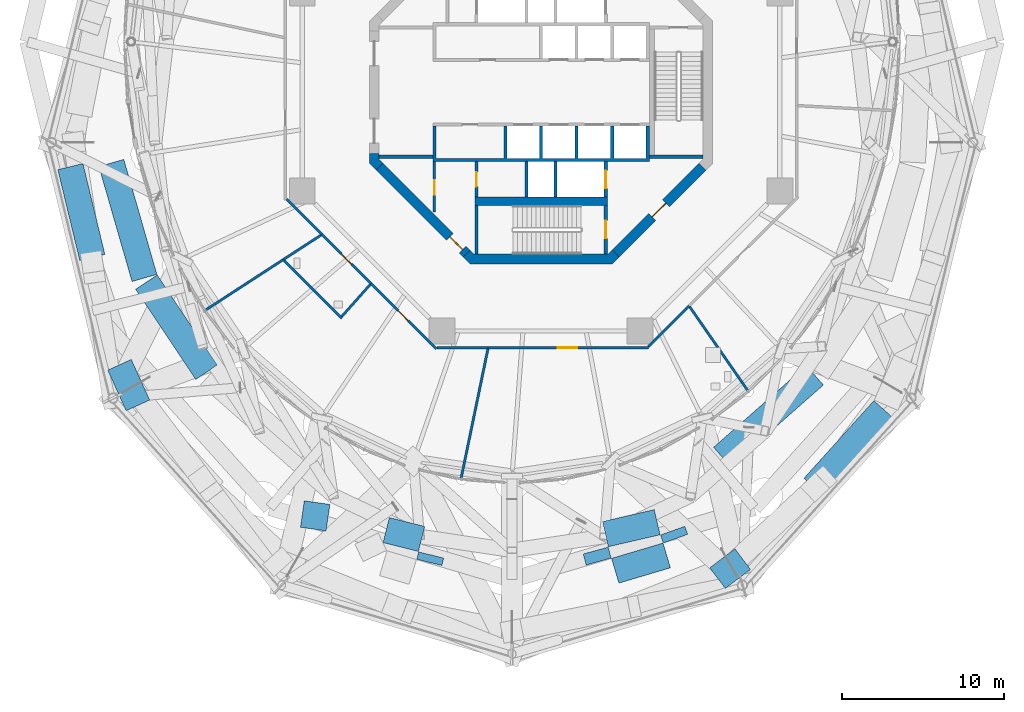
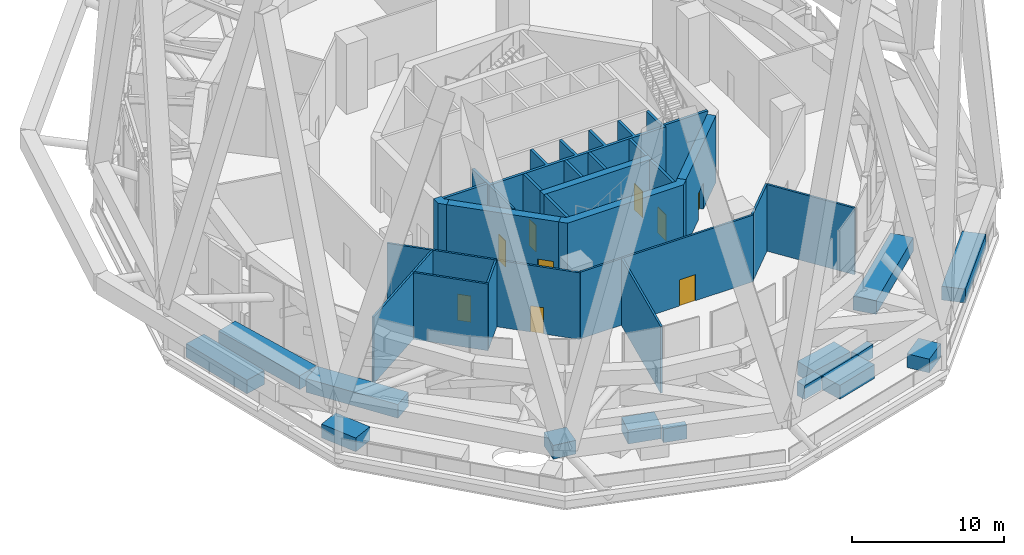
# One storey, part 38 of 48: 41 walls, 9 doors, 9 openings.
"""IFC4 building model written with IfcOpenShell, lengths in metres."""

from ifc_helpers import new_model, si_unit, direction, frame, frame_2d, origin, place, context, subcontext, project, spatial, polyline, rectangle, outline, extrude, material, layer, layer_set, type_object, element, fill, save


model = new_model("IFC4")

# Units and contexts
model_context = context("Model", 3, precision=1e-05, world=origin(), true_north=direction((0.0, 1.0)))
body_context = subcontext(model_context, "Body", "Model", "MODEL_VIEW")
ifc_project = project(units=[si_unit("LENGTHUNIT", "METRE"), si_unit("AREAUNIT", "SQUARE_METRE"), si_unit("VOLUMEUNIT", "CUBIC_METRE"), si_unit("PLANEANGLEUNIT", "RADIAN"), si_unit("MASSUNIT", "GRAM", prefix="KILO")], contexts=[model_context])

# Site, building, storey
site_placement = place(None, origin())
site = spatial("IfcSite", under=ifc_project, at=site_placement, CompositionType="ELEMENT")
building_placement = place(site_placement, origin())
building = spatial("IfcBuilding", under=site, at=building_placement, Name="Nagisa Residences", CompositionType="ELEMENT")
storey_placement = place(building_placement, frame((0.0, 0.0, 252.89990234375)))
storey = spatial("IfcBuildingStorey", under=building, at=storey_placement, Name="L64", CompositionType="ELEMENT", Elevation=252.89990234375)

# Wall, opening, door
ifc_material_1 = material(Name="Gypsum board on steel studs", Category="steel")
ifc_layer_1 = layer(ifc_material_1, 0.14990234375)
ifc_layer_set_1 = layer_set([ifc_layer_1], Name="Core partition 150")
wall_type_1 = type_object("IfcWallType", Name="Core partition 150", PredefinedType="PARTITIONING", material=ifc_layer_set_1)
wall_1_placement = place(storey_placement, frame((-6.60009765625, -7.427001953125, 0.0), z_axis=(0.0, 0.0, 1.0), x_axis=(0.0, 1.0, 0.0)))
wall_1 = element("IfcWall", 1, at=wall_1_placement, inside=storey, type_object=wall_type_1, Name="wall:L64:SWp", PredefinedType="PARTITIONING", context=body_context, shape_type="SweptSolid", body=[
    extrude(rectangle(XDim=3.126953125, YDim=0.14990234375, at=frame_2d((1.5634765625, 0.0))), origin(), (0.0, 0.0, 1.0), 5.340087890625),
])
opening_1_placement = place(wall_1_placement, frame((1.075927734375, 0.0, 0.0)))
opening_1 = element("IfcOpeningElement", 2, at=opening_1_placement, cuts=wall_1, Name="Opening L64-C15", PredefinedType="OPENING", context=body_context, shape_type="SweptSolid", body=[
    extrude(rectangle(XDim=0.89990234375, YDim=2.10009765625, at=frame_2d((0.449951171875, 1.050048828125))), frame((0.0, 0.0849609375, 0.0), z_axis=(0.0, -1.0, 0.0), x_axis=(1.0, 0.0, 0.0)), (0.0, 0.0, 1.0), 0.169921875),
])
ifc_material_2 = material(Name="Steel fire door", Category="steel")
door_type_1 = type_object("IfcDoorType", Name="Fire door EI30 900x2100 single swing", OperationType="NOTDEFINED", PredefinedType="DOOR", material=ifc_material_2)
door_1_placement = place(opening_1_placement, origin())
door_1 = element("IfcDoor", 3, at=door_1_placement, inside=storey, type_object=door_type_1, Name="Cleaner store door L64", OperationType="SINGLE_SWING_RIGHT", OverallHeight=2.10009765625, OverallWidth=0.89990234375, PredefinedType="DOOR", context=body_context, shape_type="SweptSolid", body=[
    extrude(rectangle(XDim=0.89990234375, YDim=2.10009765625, at=frame_2d((0.449951171875, 1.050048828125))), frame((0.0, 0.02490234375, 0.0), z_axis=(0.0, -1.0, 0.0), x_axis=(1.0, 0.0, 0.0)), (0.0, 0.0, 1.0), 0.050048828125),
])
fill(opening_1, door_1)

# Wall
ifc_material_3 = material(Name="Gypsum board on steel studs", Category="steel")
ifc_layer_2 = layer(ifc_material_3, 0.199951171875)
ifc_layer_set_2 = layer_set([ifc_layer_2], Name="Core partition 200")
wall_type_2 = type_object("IfcWallType", Name="Core partition 200", PredefinedType="PARTITIONING", material=ifc_layer_set_2)
wall_2_placement = place(storey_placement, frame((-10.024658203125, -4.0, 0.0), z_axis=(0.0, 0.0, 1.0), x_axis=(1.0, 0.0, 0.0)))
element("IfcWall", 4, at=wall_2_placement, inside=storey, type_object=wall_type_2, Name="wall:L64:PSW", PredefinedType="PARTITIONING", context=body_context, shape_type="SweptSolid", body=[
    extrude(rectangle(XDim=3.32470703125, YDim=0.199951171875, at=frame_2d((1.662353515625, 0.0))), origin(), (0.0, 0.0, 1.0), 5.340087890625),
])

# Wall, opening, door
ifc_material_4 = material(Name="Concrete C60", Category="concrete")
ifc_layer_3 = layer(ifc_material_4, 0.60009765625)
ifc_layer_set_3 = layer_set([ifc_layer_3], Name="Core shear wall 600")
wall_type_3 = type_object("IfcWallType", Name="Core shear wall 600", PredefinedType="SHEAR", material=ifc_layer_set_3)
wall_3_placement = place(storey_placement, frame((-9.98828125, -4.613037109375, 0.0), z_axis=(0.0, 0.0, 1.0), x_axis=(0.707106781187, -0.707106781187, 0.0)))
wall_3 = element("IfcWall", 5, at=wall_3_placement, inside=storey, type_object=wall_type_3, Name="wall:L64:core:flat5", PredefinedType="SHEAR", context=body_context, shape_type="SweptSolid", body=[
    extrude(rectangle(XDim=7.601806640625, YDim=0.60009765625, at=frame_2d((3.80078125, 0.0))), origin(), (0.0, 0.0, 1.0), 5.340087890625),
])
opening_2_placement = place(wall_3_placement, frame((6.15087890625, 0.0, 0.0)))
opening_2 = element("IfcOpeningElement", 6, at=opening_2_placement, cuts=wall_3, Name="Opening L64-C24", PredefinedType="OPENING", context=body_context, shape_type="SweptSolid", body=[
    extrude(rectangle(XDim=1.10009765625, YDim=2.10009765625, at=frame_2d((0.550048828125, 1.050048828125))), frame((0.0, 0.31005859375, 0.0), z_axis=(0.0, -1.0, 0.0), x_axis=(1.0, 0.0, 0.0)), (0.0, 0.0, 1.0), 0.6201171875),
])
ifc_material_5 = material(Name="Steel fire door", Category="steel")
door_type_2 = type_object("IfcDoorType", Name="Fire door EI60 1100x2100 single swing", OperationType="NOTDEFINED", PredefinedType="DOOR", material=ifc_material_5)
door_2_placement = place(opening_2_placement, origin())
door_2 = element("IfcDoor", 7, at=door_2_placement, inside=storey, type_object=door_type_2, Name="Housekeeping lobby door L64", OperationType="SINGLE_SWING_LEFT", OverallHeight=2.10009765625, OverallWidth=1.10009765625, PredefinedType="DOOR", context=body_context, shape_type="SweptSolid", body=[
    extrude(rectangle(XDim=1.10009765625, YDim=2.10009765625, at=frame_2d((0.550048828125, 1.050048828125))), frame((0.0, 0.02490234375, 0.0), z_axis=(0.0, -1.0, 0.0), x_axis=(1.0, 0.0, 0.0)), (0.0, 0.0, 1.0), 0.050048828125),
])
fill(opening_2, door_2)

wall_4_placement = place(storey_placement, frame((4.613037109375, -9.98828125, 0.0), z_axis=(0.0, 0.0, 1.0), x_axis=(0.707106781187, 0.707106781187, 0.0)))
wall_4 = element("IfcWall", 8, at=wall_4_placement, inside=storey, type_object=wall_type_3, Name="wall:L64:core:flat7", PredefinedType="SHEAR", context=body_context, shape_type="SweptSolid", body=[
    extrude(rectangle(XDim=7.601806640625, YDim=0.60009765625, at=frame_2d((3.80078125, 0.0))), origin(), (0.0, 0.0, 1.0), 5.340087890625),
])
opening_3_placement = place(wall_4_placement, frame((3.200927734375, 0.0, 0.0)))
opening_3 = element("IfcOpeningElement", 9, at=opening_3_placement, cuts=wall_4, Name="Opening L64-C20", PredefinedType="OPENING", context=body_context, shape_type="SweptSolid", body=[
    extrude(rectangle(XDim=1.199951171875, YDim=2.10009765625, at=frame_2d((0.60009765625, 1.050048828125))), frame((0.0, 0.31005859375, 0.0), z_axis=(0.0, -1.0, 0.0), x_axis=(1.0, 0.0, 0.0)), (0.0, 0.0, 1.0), 0.6201171875),
])
ifc_material_6 = material(Name="Steel fire door", Category="steel")
door_type_3 = type_object("IfcDoorType", Name="Fire door EI60 1200x2100 single swing", OperationType="NOTDEFINED", PredefinedType="DOOR", material=ifc_material_6)
door_3_placement = place(opening_3_placement, origin())
door_3 = element("IfcDoor", 10, at=door_3_placement, inside=storey, type_object=door_type_3, Name="Firefighting lobby 2 door L64", OperationType="SINGLE_SWING_LEFT", OverallHeight=2.10009765625, OverallWidth=1.199951171875, PredefinedType="DOOR", context=body_context, shape_type="SweptSolid", body=[
    extrude(rectangle(XDim=1.199951171875, YDim=2.10009765625, at=frame_2d((0.60009765625, 1.050048828125))), frame((0.0, 0.02490234375, 0.0), z_axis=(0.0, -1.0, 0.0), x_axis=(1.0, 0.0, 0.0)), (0.0, 0.0, 1.0), 0.050048828125),
])
fill(opening_3, door_3)

# Walls
wall_5_placement = place(storey_placement, origin())
element("IfcWall", 11, at=wall_5_placement, inside=storey, type_object=wall_type_3, Name="wall:L64:core:pier4", PredefinedType="SHEAR", context=body_context, shape_type="SweptSolid", body=[
    extrude(outline(polyline([(-10.62451171875, -3.80078125), (-10.024658203125, -3.80078125), (-10.024658203125, -4.15234375), (-9.776123046875, -4.40087890625), (-10.200439453125, -4.8251953125), (-10.62451171875, -4.40087890625), (-10.62451171875, -3.80078125)])), origin(), (0.0, 0.0, 1.0), 5.340087890625),
])
wall_6_placement = place(storey_placement, origin())
element("IfcWall", 12, at=wall_6_placement, inside=storey, type_object=wall_type_3, Name="wall:L64:core:flat6", PredefinedType="SHEAR", context=body_context, shape_type="SweptSolid", body=[
    extrude(outline(polyline([(-4.15234375, -10.024658203125), (4.15234375, -10.024658203125), (4.40087890625, -9.776123046875), (4.8251953125, -10.200439453125), (4.40087890625, -10.62451171875), (-4.40087890625, -10.62451171875), (-4.8251953125, -10.200439453125), (-4.40087890625, -9.776123046875), (-4.15234375, -10.024658203125)])), origin(), (0.0, 0.0, 1.0), 5.340087890625),
])

# Wall, opening, door
ifc_material_7 = material(Name="Concrete C60", Category="concrete")
ifc_layer_4 = layer(ifc_material_7, 0.199951171875)
ifc_layer_set_4 = layer_set([ifc_layer_4], Name="Lift shaft wall 200")
wall_type_4 = type_object("IfcWallType", Name="Lift shaft wall 200", PredefinedType="SOLIDWALL", material=ifc_layer_set_4)
wall_7_placement = place(storey_placement, frame((4.0, -6.5, 0.0), z_axis=(0.0, 0.0, 1.0), x_axis=(0.0, 1.0, 0.0)))
wall_7 = element("IfcWall", 13, at=wall_7_placement, inside=storey, type_object=wall_type_4, Name="wall:L64:Sb3", PredefinedType="SOLIDWALL", context=body_context, shape_type="SweptSolid", body=[
    extrude(rectangle(XDim=2.199951171875, YDim=0.199951171875, at=frame_2d((1.10009765625, 0.0))), origin(), (0.0, 0.0, 1.0), 5.340087890625),
])
opening_4_placement = place(wall_7_placement, frame((0.550048828125, 0.0, 0.0)))
opening_4 = element("IfcOpeningElement", 14, at=opening_4_placement, cuts=wall_7, Name="Opening L64-C09", PredefinedType="OPENING", context=body_context, shape_type="SweptSolid", body=[
    extrude(rectangle(XDim=1.10009765625, YDim=2.10009765625, at=frame_2d((0.550048828125, 1.050048828125))), frame((0.0, 0.10986328125, 0.0), z_axis=(0.0, -1.0, 0.0), x_axis=(1.0, 0.0, 0.0)), (0.0, 0.0, 1.0), 0.219970703125),
])
ifc_material_8 = material(Name="Stainless steel", Category="steel")
door_type_4 = type_object("IfcDoorType", Name="Lift landing door 1100x2100", OperationType="DOUBLE_DOOR_SLIDING", PredefinedType="DOOR", material=ifc_material_8)
door_4_placement = place(opening_4_placement, origin())
door_4 = element("IfcDoor", 15, at=door_4_placement, inside=storey, type_object=door_type_4, Name="Landing door FL2 L64", OperationType="DOUBLE_DOOR_SLIDING", OverallHeight=2.10009765625, OverallWidth=1.10009765625, PredefinedType="DOOR", context=body_context, shape_type="SweptSolid", body=[
    extrude(rectangle(XDim=1.10009765625, YDim=2.10009765625, at=frame_2d((0.550048828125, 1.050048828125))), frame((0.0, 0.02490234375, 0.0), z_axis=(0.0, -1.0, 0.0), x_axis=(1.0, 0.0, 0.0)), (0.0, 0.0, 1.0), 0.050048828125),
])
fill(opening_4, door_4)

wall_8_placement = place(storey_placement, frame((-4.0, -6.5, 0.0), z_axis=(0.0, 0.0, 1.0), x_axis=(0.0, 1.0, 0.0)))
wall_8 = element("IfcWall", 16, at=wall_8_placement, inside=storey, type_object=wall_type_4, Name="wall:L64:Sb4", PredefinedType="SOLIDWALL", context=body_context, shape_type="SweptSolid", body=[
    extrude(rectangle(XDim=2.199951171875, YDim=0.199951171875, at=frame_2d((1.10009765625, 0.0))), origin(), (0.0, 0.0, 1.0), 5.340087890625),
])
opening_5_placement = place(wall_8_placement, frame((0.64990234375, 0.0, 0.0)))
opening_5 = element("IfcOpeningElement", 17, at=opening_5_placement, cuts=wall_8, Name="Opening L64-C16", PredefinedType="OPENING", context=body_context, shape_type="SweptSolid", body=[
    extrude(rectangle(XDim=0.89990234375, YDim=2.10009765625, at=frame_2d((0.449951171875, 1.050048828125))), frame((0.0, 0.10986328125, 0.0), z_axis=(0.0, -1.0, 0.0), x_axis=(1.0, 0.0, 0.0)), (0.0, 0.0, 1.0), 0.219970703125),
])
door_5_placement = place(opening_5_placement, frame((0.89990234375, 0.0, 0.0), x_axis=(-1.0, 0.0, 0.0)))
door_5 = element("IfcDoor", 18, at=door_5_placement, inside=storey, type_object=door_type_1, Name="Refuse room door L64", OperationType="SINGLE_SWING_LEFT", OverallHeight=2.10009765625, OverallWidth=0.89990234375, PredefinedType="DOOR", context=body_context, shape_type="SweptSolid", body=[
    extrude(rectangle(XDim=0.89990234375, YDim=2.10009765625, at=frame_2d((0.449951171875, 1.050048828125))), frame((0.0, 0.02490234375, 0.0), z_axis=(0.0, -1.0, 0.0), x_axis=(1.0, 0.0, 0.0)), (0.0, 0.0, 1.0), 0.050048828125),
])
fill(opening_5, door_5)

# Walls
for number, where, z_axis, x_axis, name in (
    (19, (-0.89990234375, -6.5, 0.0), (0.0, 0.0, 1.0), (0.0, 1.0, 0.0), "wall:L64:Sb1"),
    (20, (0.89990234375, -6.5, 0.0), (0.0, 0.0, 1.0), (0.0, 1.0, 0.0), "wall:L64:Sb2"),
):
    element("IfcWall", number, at=place(storey_placement, frame(where, z_axis=z_axis, x_axis=x_axis)), inside=storey, type_object=wall_type_4, Name=name, PredefinedType="SOLIDWALL", context=body_context, shape_type="SweptSolid", body=[
        extrude(rectangle(XDim=2.199951171875, YDim=0.199951171875, at=frame_2d((1.10009765625, 0.0))), origin(), (0.0, 0.0, 1.0), 5.340087890625),
    ])
wall_9_placement = place(storey_placement, origin())
element("IfcWall", 21, at=wall_9_placement, inside=storey, type_object=wall_type_4, Name="wall:L64:Sback", PredefinedType="SOLIDWALL", context=body_context, shape_type="SweptSolid", body=[
    extrude(outline(polyline([(-6.699951171875, -2.10009765625), (-6.5, -2.10009765625), (-6.5, -4.10009765625), (-2.300048828125, -4.10009765625), (-2.300048828125, -2.10009765625), (-2.10009765625, -2.10009765625), (-2.10009765625, -4.10009765625), (-0.10009765625, -4.10009765625), (-0.10009765625, -2.10009765625), (0.10009765625, -2.10009765625), (0.10009765625, -4.10009765625), (2.10009765625, -4.10009765625), (2.10009765625, -2.10009765625), (2.300048828125, -2.10009765625), (2.300048828125, -4.10009765625), (4.300048828125, -4.10009765625), (4.300048828125, -2.10009765625), (4.5, -2.10009765625), (4.5, -4.10009765625), (6.5, -4.10009765625), (6.5, -2.10009765625), (6.699951171875, -2.10009765625), (6.699951171875, -4.300048828125), (-6.699951171875, -4.300048828125), (-6.699951171875, -2.10009765625)])), origin(), (0.0, 0.0, 1.0), 5.340087890625),
])
ifc_material_9 = material(Name="Precast concrete C30/37", Category="concrete")
ifc_layer_5 = layer(ifc_material_9, 1.60009765625)
ifc_layer_set_5 = layer_set([ifc_layer_5], Name="PLANTER")
wall_type_5 = type_object("IfcWallType", Name="PLANTER", PredefinedType="SOLIDWALL", material=ifc_layer_set_5)
wall_10_placement = place(storey_placement, frame((-27.779541015625, -10.228515625, 0.0), z_axis=(0.0, 0.0, 1.0), x_axis=(-0.23479874538, 0.972044005778, 0.0)))
element("IfcWall", 22, at=wall_10_placement, inside=storey, type_object=wall_type_5, Name="planter:L64:deck002", PredefinedType="SOLIDWALL", context=body_context, shape_type="SweptSolid", body=[
    extrude(rectangle(XDim=5.7822265625, YDim=1.60009765625, at=frame_2d((2.89111328125, 0.0))), origin(), (0.0, 0.0, 1.0), 1.10009765625),
])
wall_11_placement = place(storey_placement, frame((-26.600830078125, -4.382568359375, 0.0), z_axis=(0.0, 0.0, 1.0), x_axis=(0.276692978459, -0.960958373537, 0.0)))
element("IfcWall", 23, at=wall_11_placement, inside=storey, type_object=wall_type_5, Name="planter:L64:deck003", PredefinedType="SOLIDWALL", context=body_context, shape_type="SweptSolid", body=[
    extrude(rectangle(XDim=7.405517578125, YDim=1.60009765625, at=frame_2d((3.70263671875, 0.0))), origin(), (0.0, 0.0, 1.0), 1.10009765625),
])
wall_12_placement = place(storey_placement, frame((-24.95654296875, -19.388427734375, 0.0), z_axis=(0.0, 0.0, 1.0), x_axis=(-0.412562952431, 0.910929091796, 0.0)))
element("IfcWall", 24, at=wall_12_placement, inside=storey, type_object=wall_type_5, Name="planter:L64:deck004", PredefinedType="SOLIDWALL", context=body_context, shape_type="SweptSolid", body=[
    extrude(rectangle(XDim=2.760009765625, YDim=1.60009765625, at=frame_2d((1.3798828125, 0.0))), origin(), (0.0, 0.0, 1.0), 1.10009765625),
])
wall_13_placement = place(storey_placement, frame((-24.431884765625, -11.757080078125, 0.0), z_axis=(0.0, 0.0, 1.0), x_axis=(0.554641393293, -0.832089493291, 0.0)))
element("IfcWall", 25, at=wall_13_placement, inside=storey, type_object=wall_type_5, Name="planter:L64:deck005", PredefinedType="SOLIDWALL", context=body_context, shape_type="SweptSolid", body=[
    extrude(rectangle(XDim=6.70703125, YDim=1.60009765625, at=frame_2d((3.353515625, 0.0))), origin(), (0.0, 0.0, 1.0), 1.10009765625),
])
wall_14_placement = place(storey_placement, frame((-14.1005859375, -27.042236328125, 0.0), z_axis=(0.0, 0.0, 1.0), x_axis=(0.141566171894, 0.989928794902, 0.0)))
element("IfcWall", 26, at=wall_14_placement, inside=storey, type_object=wall_type_5, Name="planter:L64:deck009", PredefinedType="SOLIDWALL", context=body_context, shape_type="SweptSolid", body=[
    extrude(rectangle(XDim=1.652099609375, YDim=1.60009765625, at=frame_2d((0.826171875, 0.0))), origin(), (0.0, 0.0, 1.0), 1.10009765625),
])
wall_15_placement = place(storey_placement, frame((11.206298828125, -22.58349609375, 0.0), z_axis=(0.0, 0.0, 1.0), x_axis=(0.75035522749, 0.66103481949, 0.0)))
element("IfcWall", 27, at=wall_15_placement, inside=storey, type_object=wall_type_5, Name="planter:L64:deck010", PredefinedType="SOLIDWALL", context=body_context, shape_type="SweptSolid", body=[
    extrude(rectangle(XDim=7.6533203125, YDim=1.60009765625, at=frame_2d((3.82666015625, 0.0))), origin(), (0.0, 0.0, 1.0), 1.10009765625),
])
wall_16_placement = place(storey_placement, frame((12.48046875, -28.902099609375, 0.0), z_axis=(0.0, 0.0, 1.0), x_axis=(-0.797864651415, -0.602836626312, 0.0)))
element("IfcWall", 28, at=wall_16_placement, inside=storey, type_object=wall_type_5, Name="planter:L64:deck011", PredefinedType="SOLIDWALL", context=body_context, shape_type="SweptSolid", body=[
    extrude(rectangle(XDim=1.952880859375, YDim=1.60009765625, at=frame_2d((0.9765625, 0.0))), origin(), (0.0, 0.0, 1.0), 1.10009765625),
])
wall_17_placement = place(storey_placement, frame((21.1962890625, -19.6318359375, 0.0), z_axis=(0.0, 0.0, 1.0), x_axis=(-0.669534299291, -0.74278114009, 0.0)))
element("IfcWall", 29, at=wall_17_placement, inside=storey, type_object=wall_type_5, Name="planter:L64:deck014", PredefinedType="SOLIDWALL", context=body_context, shape_type="SweptSolid", body=[
    extrude(rectangle(XDim=6.462890625, YDim=1.60009765625, at=frame_2d((3.2314453125, 0.0))), origin(), (0.0, 0.0, 1.0), 1.10009765625),
])
wall_18_placement = place(storey_placement, frame((-9.585205078125, -27.10546875, 0.0), z_axis=(0.0, 0.0, 1.0), x_axis=(0.969720771435, -0.244216349672, 0.0)))
element("IfcWall", 30, at=wall_18_placement, inside=storey, type_object=wall_type_5, Name="planter:L64:deck120", PredefinedType="SOLIDWALL", context=body_context, shape_type="SweptSolid", body=[
    extrude(rectangle(XDim=2.25537109375, YDim=1.60009765625, at=frame_2d((1.127685546875, 0.0))), origin(), (0.0, 0.0, 1.0), 1.10009765625),
])
wall_19_placement = place(storey_placement, frame((-6.80224609375, -28.6474609375, 0.0), z_axis=(0.0, 0.0, 1.0), x_axis=(-0.238533259483, -0.971134328566, 0.0)))
element("IfcWall", 31, at=wall_19_placement, inside=storey, type_object=wall_type_5, Name="planter:L64:deck122", PredefinedType="SOLIDWALL", context=body_context, shape_type="SweptSolid", body=[
    extrude(rectangle(XDim=0.473876953125, YDim=1.60009765625, at=frame_2d((0.23681640625, 0.0))), origin(), (0.0, 0.0, 1.0), 1.10009765625),
])
wall_20_placement = place(storey_placement, frame((3.566162109375, -29.055908203125, 0.0), z_axis=(0.0, 0.0, 1.0), x_axis=(-0.265309033681, 0.964163428391, 0.0)))
element("IfcWall", 32, at=wall_20_placement, inside=storey, type_object=wall_type_5, Name="planter:L64:deck123", PredefinedType="SOLIDWALL", context=body_context, shape_type="SweptSolid", body=[
    extrude(rectangle(XDim=0.706787109375, YDim=1.60009765625, at=frame_2d((0.353515625, 0.0))), origin(), (0.0, 0.0, 1.0), 1.10009765625),
])
wall_21_placement = place(storey_placement, frame((3.98388671875, -27.359130859375, 0.0), z_axis=(0.0, 0.0, 1.0), x_axis=(0.974273380659, 0.225369429469, 0.0)))
element("IfcWall", 33, at=wall_21_placement, inside=storey, type_object=wall_type_5, Name="planter:L64:deck124", PredefinedType="SOLIDWALL", context=body_context, shape_type="SweptSolid", body=[
    extrude(rectangle(XDim=3.28662109375, YDim=1.60009765625, at=frame_2d((1.643310546875, 0.0))), origin(), (0.0, 0.0, 1.0), 1.10009765625),
])
wall_22_placement = place(storey_placement, frame((7.777587890625, -28.676513671875, 0.0), z_axis=(0.0, 0.0, 1.0), x_axis=(-0.958552613958, -0.284915577451, 0.0)))
element("IfcWall", 34, at=wall_22_placement, inside=storey, type_object=wall_type_5, Name="planter:L64:deck125", PredefinedType="SOLIDWALL", context=body_context, shape_type="SweptSolid", body=[
    extrude(rectangle(XDim=3.32568359375, YDim=1.60009765625, at=frame_2d((1.662841796875, 0.0))), origin(), (0.0, 0.0, 1.0), 1.10009765625),
])
wall_23_placement = place(storey_placement, frame((8.145751953125, -27.142333984375, 0.0), z_axis=(0.0, 0.0, 1.0), x_axis=(0.337507675196, -0.941322776301, 0.0)))
element("IfcWall", 35, at=wall_23_placement, inside=storey, type_object=wall_type_5, Name="planter:L64:deck126", PredefinedType="SOLIDWALL", context=body_context, shape_type="SweptSolid", body=[
    extrude(rectangle(XDim=0.528076171875, YDim=1.60009765625, at=frame_2d((0.26416015625, 0.0))), origin(), (0.0, 0.0, 1.0), 1.10009765625),
])
ifc_material_10 = material(Name="Gypsum board on steel studs", Category="steel")
ifc_layer_6 = layer(ifc_material_10, 0.14990234375)
ifc_layer_set_6 = layer_set([ifc_layer_6], Name="Room partition EI60 150")
wall_type_6 = type_object("IfcWallType", Name="Room partition EI60 150", PredefinedType="PARTITIONING", material=ifc_layer_set_6)
wall_24_placement = place(storey_placement, frame((-15.968994140625, -10.3701171875, 0.0), z_axis=(0.0, 0.0, 1.0), x_axis=(-0.838660232874, -0.544654949298, 0.0)))
element("IfcWall", 36, at=wall_24_placement, inside=storey, type_object=wall_type_6, Name="wall:L64:am000", PredefinedType="PARTITIONING", context=body_context, shape_type="SweptSolid", body=[
    extrude(rectangle(XDim=5.766357421875, YDim=0.14990234375, at=frame_2d((2.88330078125, 0.0))), origin(), (0.0, 0.0, 1.0), 5.340087890625),
])
wall_25_placement = place(storey_placement, frame((-13.63232421875, -8.852783203125, 0.0), z_axis=(0.0, 0.0, 1.0), x_axis=(-0.838689782974, -0.544609445323, 0.0)))
element("IfcWall", 37, at=wall_25_placement, inside=storey, type_object=wall_type_6, Name="wall:L64:am007", PredefinedType="PARTITIONING", context=body_context, shape_type="SweptSolid", body=[
    extrude(rectangle(XDim=2.7861328125, YDim=0.14990234375, at=frame_2d((1.39306640625, 0.0))), origin(), (0.0, 0.0, 1.0), 5.340087890625),
])
wall_26_placement = place(storey_placement, frame((-13.568115234375, -8.81103515625, 0.0), z_axis=(0.0, 0.0, 1.0), x_axis=(-0.707225473048, 0.706988069398, 0.0)))
element("IfcWall", 38, at=wall_26_placement, inside=storey, type_object=wall_type_6, Name="wall:L64:am008", PredefinedType="PARTITIONING", context=body_context, shape_type="SweptSolid", body=[
    extrude(rectangle(XDim=3.085205078125, YDim=0.14990234375, at=frame_2d((1.54248046875, 0.0))), origin(), (0.0, 0.0, 1.0), 5.340087890625),
])
wall_27_placement = place(storey_placement, frame((-12.3388671875, -14.0, 0.0), z_axis=(0.0, 0.0, 1.0), x_axis=(-0.707130919879, 0.70708264167, 0.0)))
element("IfcWall", 39, at=wall_27_placement, inside=storey, type_object=wall_type_6, Name="wall:L64:am009", PredefinedType="PARTITIONING", context=body_context, shape_type="SweptSolid", body=[
    extrude(rectangle(XDim=5.056884765625, YDim=0.14990234375, at=frame_2d((2.5283203125, 0.0))), origin(), (0.0, 0.0, 1.0), 5.340087890625),
])

# Wall, opening, door
wall_28_placement = place(storey_placement, frame((-10.529052734375, -11.85107421875, 0.0), z_axis=(0.0, 0.0, 1.0), x_axis=(-0.706993180613, 0.707220363512, 0.0)))
wall_28 = element("IfcWall", 40, at=wall_28_placement, inside=storey, type_object=wall_type_6, Name="wall:L64:am012", PredefinedType="PARTITIONING", context=body_context, shape_type="SweptSolid", body=[
    extrude(rectangle(XDim=4.298583984375, YDim=0.14990234375, at=frame_2d((2.1494140625, 0.0))), origin(), (0.0, 0.0, 1.0), 5.340087890625),
])
opening_6_placement = place(wall_28_placement, frame((1.69921875, 0.0, 0.0)))
opening_6 = element("IfcOpeningElement", 41, at=opening_6_placement, cuts=wall_28, Name="Opening L64-A05", PredefinedType="OPENING", context=body_context, shape_type="SweptSolid", body=[
    extrude(rectangle(XDim=0.89990234375, YDim=2.10009765625, at=frame_2d((0.449951171875, 1.050048828125))), frame((0.0, 0.0849609375, 0.0), z_axis=(0.0, -1.0, 0.0), x_axis=(1.0, 0.0, 0.0)), (0.0, 0.0, 1.0), 0.169921875),
])
door_6_placement = place(opening_6_placement, origin())
door_6 = element("IfcDoor", 42, at=door_6_placement, inside=storey, type_object=door_type_1, Name="WC door", OperationType="SINGLE_SWING_LEFT", OverallHeight=2.10009765625, OverallWidth=0.89990234375, PredefinedType="DOOR", context=body_context, shape_type="SweptSolid", body=[
    extrude(rectangle(XDim=0.89990234375, YDim=2.10009765625, at=frame_2d((0.449951171875, 1.050048828125))), frame((0.0, 0.02490234375, 0.0), z_axis=(0.0, -1.0, 0.0), x_axis=(1.0, 0.0, 0.0)), (0.0, 0.0, 1.0), 0.050048828125),
])
fill(opening_6, door_6)

# Wall
wall_29_placement = place(storey_placement, frame((-10.578857421875, -11.9072265625, 0.0), z_axis=(0.0, 0.0, 1.0), x_axis=(-0.664352419293, -0.747419469227, 0.0)))
element("IfcWall", 43, at=wall_29_placement, inside=storey, type_object=wall_type_6, Name="wall:L64:am013", PredefinedType="PARTITIONING", context=body_context, shape_type="SweptSolid", body=[
    extrude(rectangle(XDim=2.654052734375, YDim=0.14990234375, at=frame_2d((1.3271484375, 0.0))), origin(), (0.0, 0.0, 1.0), 5.340087890625),
])

# Wall, opening, door
wall_30_placement = place(storey_placement, frame((-6.47998046875, -15.89990234375, 0.0), z_axis=(0.0, 0.0, 1.0), x_axis=(-0.707128099168, 0.707085462563, 0.0)))
wall_30 = element("IfcWall", 44, at=wall_30_placement, inside=storey, type_object=wall_type_6, Name="wall:L64:am016", PredefinedType="PARTITIONING", context=body_context, shape_type="SweptSolid", body=[
    extrude(rectangle(XDim=5.72607421875, YDim=0.14990234375, at=frame_2d((2.863037109375, 0.0))), origin(), (0.0, 0.0, 1.0), 5.340087890625),
])
opening_7_placement = place(wall_30_placement, frame((2.466064453125, 0.0, 0.0)))
opening_7 = element("IfcOpeningElement", 45, at=opening_7_placement, cuts=wall_30, Name="Opening L64-A06", PredefinedType="OPENING", context=body_context, shape_type="SweptSolid", body=[
    extrude(rectangle(XDim=0.89990234375, YDim=2.10009765625, at=frame_2d((0.449951171875, 1.050048828125))), frame((0.0, 0.0849609375, 0.0), z_axis=(0.0, -1.0, 0.0), x_axis=(1.0, 0.0, 0.0)), (0.0, 0.0, 1.0), 0.169921875),
])
door_7_placement = place(opening_7_placement, origin())
door_7 = element("IfcDoor", 46, at=door_7_placement, inside=storey, type_object=door_type_1, Name="Relaxation room door", OperationType="SINGLE_SWING_RIGHT", OverallHeight=2.10009765625, OverallWidth=0.89990234375, PredefinedType="DOOR", context=body_context, shape_type="SweptSolid", body=[
    extrude(rectangle(XDim=0.89990234375, YDim=2.10009765625, at=frame_2d((0.449951171875, 1.050048828125))), frame((0.0, 0.02490234375, 0.0), z_axis=(0.0, -1.0, 0.0), x_axis=(1.0, 0.0, 0.0)), (0.0, 0.0, 1.0), 0.050048828125),
])
fill(opening_7, door_7)

# Walls
wall_31_placement = place(storey_placement, frame((-3.277099609375, -15.824951171875, 0.0), z_axis=(0.0, 0.0, 1.0), x_axis=(-1.0, 0.0, 0.0)))
element("IfcWall", 47, at=wall_31_placement, inside=storey, type_object=wall_type_6, Name="wall:L64:am018", PredefinedType="PARTITIONING", context=body_context, shape_type="SweptSolid", body=[
    extrude(rectangle(XDim=3.171875, YDim=0.14990234375, at=frame_2d((1.5859375, 0.0))), origin(), (0.0, 0.0, 1.0), 5.340087890625),
])
wall_32_placement = place(storey_placement, frame((-3.29248046875, -15.89990234375, 0.0), z_axis=(0.0, 0.0, 1.0), x_axis=(-0.202759053946, -0.979228658712, 0.0)))
element("IfcWall", 48, at=wall_32_placement, inside=storey, type_object=wall_type_6, Name="wall:L64:am019", PredefinedType="PARTITIONING", context=body_context, shape_type="SweptSolid", body=[
    extrude(rectangle(XDim=8.20703125, YDim=0.14990234375, at=frame_2d((4.103515625, 0.0))), origin(), (0.0, 0.0, 1.0), 5.340087890625),
])

# Wall, opening, door
wall_33_placement = place(storey_placement, frame((6.6611328125, -15.824951171875, 0.0), z_axis=(0.0, 0.0, 1.0), x_axis=(-1.0, 0.0, 0.0)))
wall_33 = element("IfcWall", 49, at=wall_33_placement, inside=storey, type_object=wall_type_6, Name="wall:L64:am021", PredefinedType="PARTITIONING", context=body_context, shape_type="SweptSolid", body=[
    extrude(rectangle(XDim=9.938232421875, YDim=0.14990234375, at=frame_2d((4.96923828125, 0.0))), origin(), (0.0, 0.0, 1.0), 5.340087890625),
])
opening_8_placement = place(wall_33_placement, frame((4.422119140625, 0.0, 0.0)))
opening_8 = element("IfcOpeningElement", 50, at=opening_8_placement, cuts=wall_33, Name="Opening L64-A07", PredefinedType="OPENING", context=body_context, shape_type="SweptSolid", body=[
    extrude(rectangle(XDim=1.199951171875, YDim=2.10009765625, at=frame_2d((0.60009765625, 1.050048828125))), frame((0.0, 0.0849609375, 0.0), z_axis=(0.0, -1.0, 0.0), x_axis=(1.0, 0.0, 0.0)), (0.0, 0.0, 1.0), 0.169921875),
])
ifc_material_11 = material(Name="Steel fire door", Category="steel")
door_type_5 = type_object("IfcDoorType", Name="Fire door EI30 1200x2100 single swing", OperationType="NOTDEFINED", PredefinedType="DOOR", material=ifc_material_11)
door_8_placement = place(opening_8_placement, frame((1.199951171875, 0.0, 0.0), x_axis=(-1.0, 0.0, 0.0)))
door_8 = element("IfcDoor", 51, at=door_8_placement, inside=storey, type_object=door_type_5, Name="Spa changing rooms door", OperationType="SINGLE_SWING_RIGHT", OverallHeight=2.10009765625, OverallWidth=1.199951171875, PredefinedType="DOOR", context=body_context, shape_type="SweptSolid", body=[
    extrude(rectangle(XDim=1.199951171875, YDim=2.10009765625, at=frame_2d((0.60009765625, 1.050048828125))), frame((0.0, 0.02490234375, 0.0), z_axis=(0.0, -1.0, 0.0), x_axis=(1.0, 0.0, 0.0)), (0.0, 0.0, 1.0), 0.050048828125),
])
fill(opening_8, door_8)

# Walls
wall_34_placement = place(storey_placement, frame((9.157958984375, -13.220947265625, 0.0), z_axis=(0.0, 0.0, 1.0), x_axis=(-0.706970221364, -0.707243314641, 0.0)))
element("IfcWall", 52, at=wall_34_placement, inside=storey, type_object=wall_type_6, Name="wall:L64:am022", PredefinedType="PARTITIONING", context=body_context, shape_type="SweptSolid", body=[
    extrude(rectangle(XDim=3.575927734375, YDim=0.14990234375, at=frame_2d((1.7880859375, 0.0))), origin(), (0.0, 0.0, 1.0), 5.340087890625),
])
wall_35_placement = place(storey_placement, frame((9.201416015625, -13.28369140625, 0.0), z_axis=(0.0, 0.0, 1.0), x_axis=(0.569459783046, -0.822019194115, 0.0)))
element("IfcWall", 53, at=wall_35_placement, inside=storey, type_object=wall_type_6, Name="wall:L64:am023", PredefinedType="PARTITIONING", context=body_context, shape_type="SweptSolid", body=[
    extrude(rectangle(XDim=6.35205078125, YDim=0.14990234375, at=frame_2d((3.176025390625, 0.0))), origin(), (0.0, 0.0, 1.0), 5.340087890625),
])

# Wall, opening, door
ifc_material_12 = material(Name="Concrete C60", Category="concrete")
ifc_layer_7 = layer(ifc_material_12, 0.199951171875)
ifc_layer_set_7 = layer_set([ifc_layer_7], Name="Stair enclosure wall 200")
wall_type_7 = type_object("IfcWallType", Name="Stair enclosure wall 200", PredefinedType="SOLIDWALL", material=ifc_layer_set_7)
wall_36_placement = place(storey_placement, frame((4.0, -10.024658203125, 0.0), z_axis=(0.0, 0.0, 1.0), x_axis=(0.0, 1.0, 0.0)))
wall_36 = element("IfcWall", 54, at=wall_36_placement, inside=storey, type_object=wall_type_7, Name="wall:L64:SS_e", PredefinedType="SOLIDWALL", context=body_context, shape_type="SweptSolid", body=[
    extrude(rectangle(XDim=3.0, YDim=0.199951171875, at=frame_2d((1.5, 0.0))), origin(), (0.0, 0.0, 1.0), 5.340087890625),
])
opening_9_placement = place(wall_36_placement, frame((0.974609375, 0.0, 0.0)))
opening_9 = element("IfcOpeningElement", 55, at=opening_9_placement, cuts=wall_36, Name="Opening L64-C13", PredefinedType="OPENING", context=body_context, shape_type="SweptSolid", body=[
    extrude(rectangle(XDim=1.10009765625, YDim=2.10009765625, at=frame_2d((0.550048828125, 1.050048828125))), frame((0.0, 0.10986328125, 0.0), z_axis=(0.0, -1.0, 0.0), x_axis=(1.0, 0.0, 0.0)), (0.0, 0.0, 1.0), 0.219970703125),
])
ifc_material_13 = material(Name="Steel fire door", Category="steel")
door_type_6 = type_object("IfcDoorType", Name="Fire door EI90 1100x2100 single swing", OperationType="NOTDEFINED", PredefinedType="DOOR", material=ifc_material_13)
door_9_placement = place(opening_9_placement, origin())
door_9 = element("IfcDoor", 56, at=door_9_placement, inside=storey, type_object=door_type_6, Name="Stair door ST-S L64", OperationType="SINGLE_SWING_RIGHT", OverallHeight=2.10009765625, OverallWidth=1.10009765625, PredefinedType="DOOR", context=body_context, shape_type="SweptSolid", body=[
    extrude(rectangle(XDim=1.10009765625, YDim=2.10009765625, at=frame_2d((0.550048828125, 1.050048828125))), frame((0.0, 0.02490234375, 0.0), z_axis=(0.0, -1.0, 0.0), x_axis=(1.0, 0.0, 0.0)), (0.0, 0.0, 1.0), 0.050048828125),
])
fill(opening_9, door_9)

# Walls
wall_37_placement = place(storey_placement, origin())
element("IfcWall", 57, at=wall_37_placement, inside=storey, type_object=wall_type_7, Name="wall:L64:SS_w", PredefinedType="SOLIDWALL", context=body_context, shape_type="SweptSolid", body=[
    extrude(outline(polyline([(-3.89990234375, -10.024658203125), (-4.10009765625, -10.024658203125), (-4.10009765625, -7.024658203125), (-3.89990234375, -7.024658203125), (-3.89990234375, -10.024658203125)])), origin(), (0.0, 0.0, 1.0), 5.340087890625),
])
wall_38_placement = place(storey_placement, origin())
element("IfcWall", 58, at=wall_38_placement, inside=storey, type_object=wall_type_7, Name="wall:L64:SS_n", PredefinedType="SOLIDWALL", context=body_context, shape_type="SweptSolid", body=[
    extrude(outline(polyline([(4.10009765625, -7.024658203125), (-4.10009765625, -7.024658203125), (-4.10009765625, -6.5), (4.10009765625, -6.5), (4.10009765625, -7.024658203125)])), origin(), (0.0, 0.0, 1.0), 5.340087890625),
])
wall_39_placement = place(storey_placement, origin())
element("IfcWall", 59, at=wall_39_placement, inside=storey, type_object=wall_type_7, Name="wall:L64:SE_s", PredefinedType="SOLIDWALL", context=body_context, shape_type="SweptSolid", body=[
    extrude(outline(polyline([(10.024658203125, -4.10009765625), (6.699951171875, -4.10009765625), (6.699951171875, -3.89990234375), (10.024658203125, -3.89990234375), (10.024658203125, -4.10009765625)])), origin(), (0.0, 0.0, 1.0), 5.340087890625),
])

save(model, "model.ifc")
